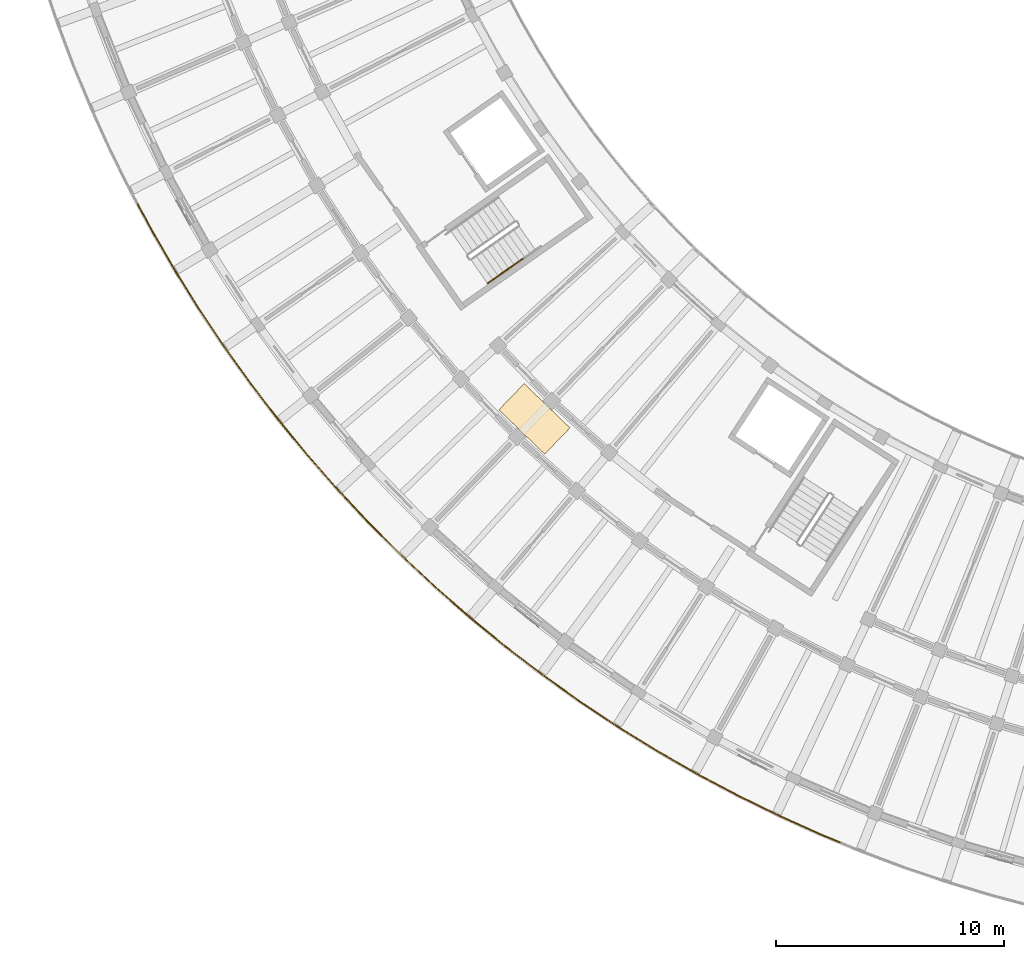
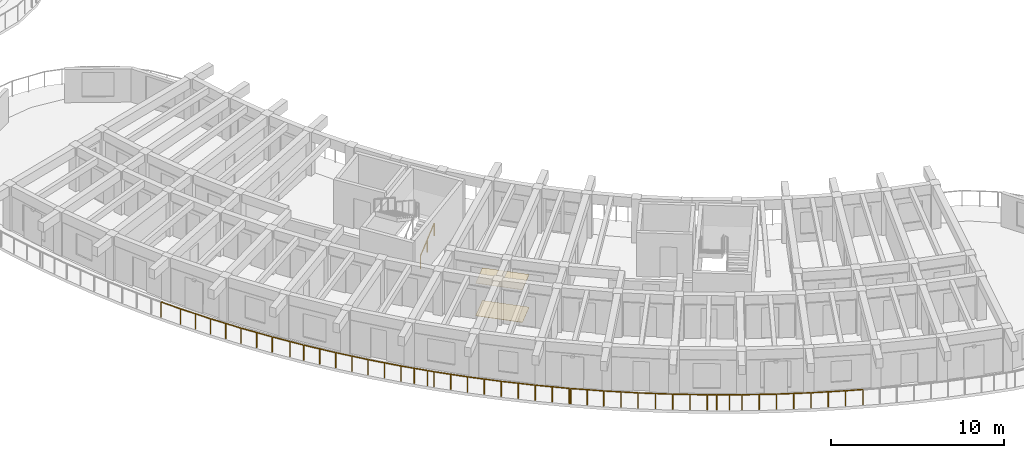
# One storey, part 65 of 81: 7 railings, 2 coverings.
"""IFC4 building model written with IfcOpenShell, lengths in metres."""

from ifc_helpers import new_model, si_unit, direction, frame, origin, origin_2d, place, context, subcontext, project, spatial, rectangle, circle, extrude, material, layer, layer_set, type_object, element, save


model = new_model("IFC4")

# Units and contexts
model_context = context("Model", 3, precision=1e-05, world=origin(), true_north=direction((0.0, 1.0)))
body_context = subcontext(model_context, "Body", "Model", "MODEL_VIEW")
ifc_project = project(units=[si_unit("LENGTHUNIT", "METRE"), si_unit("AREAUNIT", "SQUARE_METRE"), si_unit("VOLUMEUNIT", "CUBIC_METRE"), si_unit("PLANEANGLEUNIT", "RADIAN"), si_unit("MASSUNIT", "GRAM", prefix="KILO")], contexts=[model_context])

# Site, building, storey
site_placement = place(None, origin())
site = spatial("IfcSite", under=ifc_project, at=site_placement, CompositionType="ELEMENT")
building_placement = place(site_placement, origin())
building = spatial("IfcBuilding", under=site, at=building_placement, Name="Tanwirah Colonnade Gardens", CompositionType="ELEMENT")
storey_placement = place(building_placement, frame((0.0, 0.0, 8.840087890625)))
storey = spatial("IfcBuildingStorey", under=building, at=storey_placement, Name="L02", CompositionType="ELEMENT", Elevation=8.840087890625)

# Railings
ifc_material_1 = material(Name="Precast concrete C40/50", Category="concrete")
railing_type_1 = type_object("IfcRailingType", Name="BAL-EXT110", PredefinedType="BALUSTRADE", material=ifc_material_1)
railing_1_placement = place(storey_placement, frame((41.62255859375, 7.81982421875, 0.0)))
element("IfcRailing", 1, at=railing_1_placement, inside=storey, type_object=railing_type_1, Name="Block C L02 Balcony Ribbon Balustrade 11", PredefinedType="BALUSTRADE", context=body_context, shape_type="SweptSolid", body=[
    extrude(circle(Radius=0.02392578125, at=origin_2d()), frame((-0.02880859375, 0.011962890625, 1.076171875), z_axis=(-0.924279622952, 0.381716096851, 0.0), x_axis=(-0.381716096851, -0.924279622952, 0.0)), (0.0, 0.0, 1.0), 0.966552734375),
    extrude(circle(Radius=0.02392578125, at=origin_2d()), frame((-0.979736328125, 0.40576171875, 1.076171875), z_axis=(-0.911305810052, 0.411730155035, 0.0), x_axis=(-0.411730155035, -0.911305810052, 0.0)), (0.0, 0.0, 1.0), 1.944091796875),
    extrude(circle(Radius=0.02392578125, at=origin_2d()), frame((-2.807861328125, 1.23291015625, 1.076171875), z_axis=(-0.897352335885, 0.441314836916, 0.0), x_axis=(-0.441314836916, -0.897352335885, 0.0)), (0.0, 0.0, 1.0), 1.944091796875),
    extrude(circle(Radius=0.02392578125, at=origin_2d()), frame((-4.60791015625, 2.119140625, 1.076171875), z_axis=(-0.882416921514, 0.470468252516, 0.0), x_axis=(-0.470468252516, -0.882416921514, 0.0)), (0.0, 0.0, 1.0), 1.944091796875),
    extrude(circle(Radius=0.02392578125, at=origin_2d()), frame((-6.378173828125, 3.064208984375, 1.076171875), z_axis=(-0.866602615509, 0.498998904601, 0.0), x_axis=(-0.498998904601, -0.866602615509, 0.0)), (0.0, 0.0, 1.0), 1.388671875),
    extrude(circle(Radius=0.02099609375, at=origin_2d()), origin(), (0.0, 0.0, 1.0), 1.049072265625),
    extrude(circle(Radius=0.02099609375, at=origin_2d()), frame((-0.951171875, 0.392822265625, 0.0)), (0.0, 0.0, 1.0), 1.049072265625),
    extrude(circle(Radius=0.02099609375, at=origin_2d()), frame((-1.865478515625, 0.805908203125, 0.0)), (0.0, 0.0, 1.0), 1.049072265625),
    extrude(circle(Radius=0.02099609375, at=origin_2d()), frame((-2.77978515625, 1.218994140625, 0.0)), (0.0, 0.0, 1.0), 1.049072265625),
    extrude(circle(Radius=0.02099609375, at=origin_2d()), frame((-3.68017578125, 1.66162109375, 0.0)), (0.0, 0.0, 1.0), 1.049072265625),
    extrude(circle(Radius=0.02099609375, at=origin_2d()), frame((-4.580322265625, 2.1044921875, 0.0)), (0.0, 0.0, 1.0), 1.049072265625),
    extrude(circle(Radius=0.02099609375, at=origin_2d()), frame((-5.4658203125, 2.57666015625, 0.0)), (0.0, 0.0, 1.0), 1.049072265625),
    extrude(circle(Radius=0.02099609375, at=origin_2d()), frame((-6.35107421875, 3.048583984375, 0.0)), (0.0, 0.0, 1.0), 1.049072265625),
    extrude(circle(Radius=0.02099609375, at=origin_2d()), frame((-6.97998046875, 3.41064453125, 0.0)), (0.0, 0.0, 1.0), 1.049072265625),
    extrude(circle(Radius=0.02099609375, at=origin_2d()), frame((-7.608642578125, 3.772705078125, 0.0)), (0.0, 0.0, 1.0), 1.049072265625),
])
railing_2_placement = place(storey_placement, frame((34.013916015625, 11.592529296875, 0.0)))
element("IfcRailing", 2, at=railing_2_placement, inside=storey, type_object=railing_type_1, Name="Block C L02 Balcony Ribbon Balustrade 12", PredefinedType="BALUSTRADE", context=body_context, shape_type="SweptSolid", body=[
    extrude(circle(Radius=0.02392578125, at=origin_2d()), frame((-0.027099609375, 0.015625, 1.076171875), z_axis=(-0.866587887703, 0.49902448125, 0.0), x_axis=(-0.49902448125, -0.866587887703, 0.0)), (0.0, 0.0, 1.0), 0.49267578125),
    extrude(circle(Radius=0.02392578125, at=origin_2d()), frame((-0.5078125, 0.293701171875, 1.076171875), z_axis=(-0.84977735452, 0.527141771959, 0.0), x_axis=(-0.527141771959, -0.84977735452, 0.0)), (0.0, 0.0, 1.0), 1.9443359375),
    extrude(circle(Radius=0.02392578125, at=origin_2d()), frame((-2.212646484375, 1.352294921875, 1.076171875), z_axis=(-0.832069011603, 0.554672119301, 0.0), x_axis=(-0.554672119301, -0.832069011603, 0.0)), (0.0, 0.0, 1.0), 1.944091796875),
    extrude(circle(Radius=0.02392578125, at=origin_2d()), frame((-3.881591796875, 2.466064453125, 1.076171875), z_axis=(-0.813486769226, 0.581583421612, 0.0), x_axis=(-0.581583421612, -0.813486769226, 0.0)), (0.0, 0.0, 1.0), 1.944091796875),
    extrude(circle(Radius=0.02392578125, at=origin_2d()), frame((-5.513427734375, 3.634033203125, 1.076171875), z_axis=(-0.794008424843, 0.60790675377, 0.0), x_axis=(-0.60790675377, -0.794008424843, 0.0)), (0.0, 0.0, 1.0), 1.862060546875),
    extrude(circle(Radius=0.02099609375, at=origin_2d()), origin(), (0.0, 0.0, 1.0), 1.049072265625),
    extrude(circle(Radius=0.02099609375, at=origin_2d()), frame((-0.481201171875, 0.277099609375, 0.0)), (0.0, 0.0, 1.0), 1.049072265625),
    extrude(circle(Radius=0.02099609375, at=origin_2d()), frame((-1.333984375, 0.80615234375, 0.0)), (0.0, 0.0, 1.0), 1.049072265625),
    extrude(circle(Radius=0.02099609375, at=origin_2d()), frame((-2.1865234375, 1.3349609375, 0.0)), (0.0, 0.0, 1.0), 1.049072265625),
    extrude(circle(Radius=0.02099609375, at=origin_2d()), frame((-3.021484375, 1.8916015625, 0.0)), (0.0, 0.0, 1.0), 1.049072265625),
    extrude(circle(Radius=0.02099609375, at=origin_2d()), frame((-3.856201171875, 2.447998046875, 0.0)), (0.0, 0.0, 1.0), 1.049072265625),
    extrude(circle(Radius=0.02099609375, at=origin_2d()), frame((-4.67236328125, 3.031494140625, 0.0)), (0.0, 0.0, 1.0), 1.049072265625),
    extrude(circle(Radius=0.02099609375, at=origin_2d()), frame((-5.488525390625, 3.614990234375, 0.0)), (0.0, 0.0, 1.0), 1.049072265625),
    extrude(circle(Radius=0.02099609375, at=origin_2d()), frame((-6.25244140625, 4.199951171875, 0.0)), (0.0, 0.0, 1.0), 1.049072265625),
    extrude(circle(Radius=0.02099609375, at=origin_2d()), frame((-7.0166015625, 4.784912109375, 0.0)), (0.0, 0.0, 1.0), 1.049072265625),
])
railing_3_placement = place(storey_placement, frame((26.997314453125, 16.37744140625, 0.0)))
element("IfcRailing", 3, at=railing_3_placement, inside=storey, type_object=railing_type_1, Name="Block C L02 Balcony Ribbon Balustrade 13", PredefinedType="BALUSTRADE", context=body_context, shape_type="SweptSolid", body=[
    extrude(circle(Radius=0.02392578125, at=origin_2d()), frame((-0.02490234375, 0.01904296875, 1.076171875), z_axis=(-0.794611184815, 0.607118658061, 0.0), x_axis=(-0.607118658061, -0.794611184815, 0.0)), (0.0, 0.0, 1.0), 0.01953125),
    extrude(circle(Radius=0.02392578125, at=origin_2d()), frame((-0.08935546875, 0.069580078125, 1.076171875), z_axis=(-0.773707873236, 0.633542521771, 0.0), x_axis=(-0.633542521771, -0.773707873236, 0.0)), (0.0, 0.0, 1.0), 1.944091796875),
    extrude(circle(Radius=0.02392578125, at=origin_2d()), frame((-1.64111328125, 1.341552734375, 1.076171875), z_axis=(-0.752508858808, 0.658582126553, 0.0), x_axis=(-0.658582126553, -0.752508858808, 0.0)), (0.0, 0.0, 1.0), 1.944091796875),
    extrude(circle(Radius=0.02392578125, at=origin_2d()), frame((-3.150634765625, 2.663818359375, 1.076171875), z_axis=(-0.730610060212, 0.682794947196, 0.0), x_axis=(-0.682794947196, -0.730610060212, 0.0)), (0.0, 0.0, 1.0), 1.944091796875),
    extrude(circle(Radius=0.02392578125, at=origin_2d()), frame((-4.615966796875, 4.03466796875, 1.076171875), z_axis=(-0.707897217537, 0.706315460261, 0.0), x_axis=(-0.706315460261, -0.707897217537, 0.0)), (0.0, 0.0, 1.0), 1.944091796875),
    extrude(circle(Radius=0.02392578125, at=origin_2d()), frame((-6.03564453125, 5.45263671875, 1.076171875), z_axis=(-0.684314204169, 0.729187266738, 0.0), x_axis=(-0.729187266738, -0.684314204169, 0.0)), (0.0, 0.0, 1.0), 0.3291015625),
    extrude(circle(Radius=0.02099609375, at=origin_2d()), origin(), (0.0, 0.0, 1.0), 1.049072265625),
    extrude(circle(Radius=0.02099609375, at=origin_2d()), frame((-0.065185546875, 0.0498046875, 0.0)), (0.0, 0.0, 1.0), 1.049072265625),
    extrude(circle(Radius=0.02099609375, at=origin_2d()), frame((-0.84130859375, 0.685546875, 0.0)), (0.0, 0.0, 1.0), 1.049072265625),
    extrude(circle(Radius=0.02099609375, at=origin_2d()), frame((-1.61767578125, 1.321044921875, 0.0)), (0.0, 0.0, 1.0), 1.049072265625),
    extrude(circle(Radius=0.02099609375, at=origin_2d()), frame((-2.37255859375, 1.98193359375, 0.0)), (0.0, 0.0, 1.0), 1.049072265625),
    extrude(circle(Radius=0.02099609375, at=origin_2d()), frame((-3.127685546875, 2.642578125, 0.0)), (0.0, 0.0, 1.0), 1.049072265625),
    extrude(circle(Radius=0.02099609375, at=origin_2d()), frame((-3.86083984375, 3.32763671875, 0.0)), (0.0, 0.0, 1.0), 1.049072265625),
    extrude(circle(Radius=0.02099609375, at=origin_2d()), frame((-4.59375, 4.0126953125, 0.0)), (0.0, 0.0, 1.0), 1.049072265625),
    extrude(circle(Radius=0.02099609375, at=origin_2d()), frame((-5.303955078125, 4.72119140625, 0.0)), (0.0, 0.0, 1.0), 1.049072265625),
    extrude(circle(Radius=0.02099609375, at=origin_2d()), frame((-6.01416015625, 5.429931640625, 0.0)), (0.0, 0.0, 1.0), 1.049072265625),
    extrude(circle(Radius=0.02099609375, at=origin_2d()), frame((-6.2822265625, 5.715576171875, 0.0)), (0.0, 0.0, 1.0), 1.049072265625),
])
railing_4_placement = place(storey_placement, frame((20.715087890625, 22.093017578125, 0.0)))
element("IfcRailing", 4, at=railing_4_placement, inside=storey, type_object=railing_type_1, Name="Block C L02 Balcony Ribbon Balustrade 14", PredefinedType="BALUSTRADE", context=body_context, shape_type="SweptSolid", body=[
    extrude(circle(Radius=0.02392578125, at=origin_2d()), frame((-0.021484375, 0.022705078125, 1.076171875), z_axis=(-0.68437850788, 0.729126914845, 0.0), x_axis=(-0.729126914845, -0.68437850788, 0.0)), (0.0, 0.0, 1.0), 1.552490234375),
    extrude(circle(Radius=0.02392578125, at=origin_2d()), frame((-1.1259765625, 1.200927734375, 1.076171875), z_axis=(-0.660199900943, 0.751089935224, 0.0), x_axis=(-0.751089935224, -0.660199900943, 0.0)), (0.0, 0.0, 1.0), 1.944091796875),
    extrude(circle(Radius=0.02392578125, at=origin_2d()), frame((-2.44970703125, 2.708740234375, 1.076171875), z_axis=(-0.635216698846, 0.77233395983, 0.0), x_axis=(-0.77233395983, -0.635216698846, 0.0)), (0.0, 0.0, 1.0), 1.944091796875),
    extrude(circle(Radius=0.02392578125, at=origin_2d()), frame((-3.7236328125, 4.259033203125, 1.076171875), z_axis=(-0.609669601555, 0.7926556484, 0.0), x_axis=(-0.7926556484, -0.609669601555, 0.0)), (0.0, 0.0, 1.0), 1.944091796875),
    extrude(circle(Radius=0.02392578125, at=origin_2d()), frame((-4.9462890625, 5.850341796875, 1.076171875), z_axis=(-0.583211557047, 0.812320306115, 0.0), x_axis=(-0.812320306115, -0.583211557047, 0.0)), (0.0, 0.0, 1.0), 0.802734375),
    extrude(circle(Radius=0.02099609375, at=origin_2d()), origin(), (0.0, 0.0, 1.0), 1.049072265625),
    extrude(circle(Radius=0.02099609375, at=origin_2d()), frame((-0.552734375, 0.5888671875, 0.0)), (0.0, 0.0, 1.0), 1.049072265625),
    extrude(circle(Radius=0.02099609375, at=origin_2d()), frame((-1.105224609375, 1.177490234375, 0.0)), (0.0, 0.0, 1.0), 1.049072265625),
    extrude(circle(Radius=0.02099609375, at=origin_2d()), frame((-1.767578125, 1.93115234375, 0.0)), (0.0, 0.0, 1.0), 1.049072265625),
    extrude(circle(Radius=0.02099609375, at=origin_2d()), frame((-2.429931640625, 2.6845703125, 0.0)), (0.0, 0.0, 1.0), 1.049072265625),
    extrude(circle(Radius=0.02099609375, at=origin_2d()), frame((-3.0673828125, 3.45947265625, 0.0)), (0.0, 0.0, 1.0), 1.049072265625),
    extrude(circle(Radius=0.02099609375, at=origin_2d()), frame((-3.70458984375, 4.234375, 0.0)), (0.0, 0.0, 1.0), 1.049072265625),
    extrude(circle(Radius=0.02099609375, at=origin_2d()), frame((-4.31640625, 5.02978515625, 0.0)), (0.0, 0.0, 1.0), 1.049072265625),
    extrude(circle(Radius=0.02099609375, at=origin_2d()), frame((-4.927978515625, 5.824951171875, 0.0)), (0.0, 0.0, 1.0), 1.049072265625),
    extrude(circle(Radius=0.02099609375, at=origin_2d()), frame((-5.4326171875, 6.52783203125, 0.0)), (0.0, 0.0, 1.0), 1.049072265625),
])
railing_5_placement = place(storey_placement, frame((15.282470703125, 28.620849609375, 0.0)))
element("IfcRailing", 5, at=railing_5_placement, inside=storey, type_object=railing_type_1, Name="Block C L02 Balcony Ribbon Balustrade 15", PredefinedType="BALUSTRADE", context=body_context, shape_type="SweptSolid", body=[
    extrude(circle(Radius=0.02392578125, at=origin_2d()), frame((-0.018310546875, 0.025390625, 1.076171875), z_axis=(-0.583340691187, 0.812227577718, 0.0), x_axis=(-0.812227577718, -0.583340691187, 0.0)), (0.0, 0.0, 1.0), 1.078857421875),
    extrude(circle(Radius=0.02392578125, at=origin_2d()), frame((-0.68310546875, 0.952880859375, 1.076171875), z_axis=(-0.556495801451, 0.830850421537, 0.0), x_axis=(-0.830850421537, -0.556495801451, 0.0)), (0.0, 0.0, 1.0), 1.944091796875),
    extrude(circle(Radius=0.02392578125, at=origin_2d()), frame((-1.799072265625, 2.620849609375, 1.076171875), z_axis=(-0.529003375217, 0.848619719903, 0.0), x_axis=(-0.848619719903, -0.529003375217, 0.0)), (0.0, 0.0, 1.0), 1.944091796875),
    extrude(circle(Radius=0.02392578125, at=origin_2d()), frame((-2.859619140625, 4.32421875, 1.076171875), z_axis=(-0.500940340279, 0.865481816956, 0.0), x_axis=(-0.865481816956, -0.500940340279, 0.0)), (0.0, 0.0, 1.0), 1.94384765625),
    extrude(circle(Radius=0.02392578125, at=origin_2d()), frame((-3.86376953125, 6.061279296875, 1.076171875), z_axis=(-0.472413668616, 0.881376948703, 0.0), x_axis=(-0.881376948703, -0.472413668616, 0.0)), (0.0, 0.0, 1.0), 1.2763671875),
    extrude(circle(Radius=0.02099609375, at=origin_2d()), origin(), (0.0, 0.0, 1.0), 1.049072265625),
    extrude(circle(Radius=0.02099609375, at=origin_2d()), frame((-0.665771484375, 0.927001953125, 0.0)), (0.0, 0.0, 1.0), 1.049072265625),
    extrude(circle(Radius=0.02099609375, at=origin_2d()), frame((-1.22412109375, 1.7607421875, 0.0)), (0.0, 0.0, 1.0), 1.049072265625),
    extrude(circle(Radius=0.02099609375, at=origin_2d()), frame((-1.782470703125, 2.59423828125, 0.0)), (0.0, 0.0, 1.0), 1.049072265625),
    extrude(circle(Radius=0.02099609375, at=origin_2d()), frame((-2.313232421875, 3.44580078125, 0.0)), (0.0, 0.0, 1.0), 1.049072265625),
    extrude(circle(Radius=0.02099609375, at=origin_2d()), frame((-2.843994140625, 4.297119140625, 0.0)), (0.0, 0.0, 1.0), 1.049072265625),
    extrude(circle(Radius=0.02099609375, at=origin_2d()), frame((-3.3466796875, 5.16552734375, 0.0)), (0.0, 0.0, 1.0), 1.049072265625),
    extrude(circle(Radius=0.02099609375, at=origin_2d()), frame((-3.84912109375, 6.03369140625, 0.0)), (0.0, 0.0, 1.0), 1.049072265625),
    extrude(circle(Radius=0.02099609375, at=origin_2d()), frame((-4.481689453125, 7.2138671875, 0.0)), (0.0, 0.0, 1.0), 1.049072265625),
])

# Coverings
ifc_material_2 = material(Name="Acoustic perforated gypsum ceiling board")
ifc_layer_1 = layer(ifc_material_2, 0.014892578125)
ifc_layer_set_1 = layer_set([ifc_layer_1], Name="Acoustic perforated gypsum ceiling board")
covering_type_1 = type_object("IfcCoveringType", Name="COV-CEIL15", PredefinedType="CEILING", material=ifc_layer_set_1)
covering_1_placement = place(storey_placement, frame((28.2177734375, 26.410888671875, 2.3125), z_axis=(0.0, 0.0, 1.0), x_axis=(0.719339800339, -0.694658370459, 0.0)))
element("IfcCovering", 6, at=covering_1_placement, inside=storey, type_object=covering_type_1, Name="Block C L02 Corridor Acoustic Ceiling", PredefinedType="CEILING", context=body_context, shape_type="SweptSolid", body=[
    extrude(rectangle(XDim=2.800048828125, YDim=1.60009765625, at=origin_2d()), origin(), (0.0, 0.0, 1.0), 0.014892578125),
])
ifc_material_3 = material(Name="Honed Abu Dhabi limestone terrazzo flooring", Category="masonry")
ifc_layer_2 = layer(ifc_material_3, 0.02001953125)
ifc_layer_set_2 = layer_set([ifc_layer_2], Name="Honed Abu Dhabi limestone terrazzo flooring")
covering_type_2 = type_object("IfcCoveringType", Name="COV-FLR20", PredefinedType="FLOORING", material=ifc_layer_set_2)
covering_2_placement = place(storey_placement, frame((28.2177734375, 26.410888671875, 0.0), z_axis=(0.0, 0.0, 1.0), x_axis=(0.719339800339, -0.694658370459, 0.0)))
element("IfcCovering", 7, at=covering_2_placement, inside=storey, type_object=covering_type_2, Name="Block C L02 Corridor Terrazzo Flooring", PredefinedType="FLOORING", context=body_context, shape_type="SweptSolid", body=[
    extrude(rectangle(XDim=2.800048828125, YDim=1.60009765625, at=origin_2d()), origin(), (0.0, 0.0, 1.0), 0.02001953125),
])

# Railings
ifc_material_4 = material(Name="Brushed bronze stainless steel", Category="steel")
railing_type_2 = type_object("IfcRailingType", Name="HR-ST090", PredefinedType="HANDRAIL", material=ifc_material_4)
railing_6_placement = place(storey_placement, frame((26.16064453125, 32.360107421875, 0.16796875)))
element("IfcRailing", 8, at=railing_6_placement, inside=storey, type_object=railing_type_2, Name="L02 ST-C1 stair handrail 1", PredefinedType="HANDRAIL", context=body_context, shape_type="SweptSolid", body=[
    extrude(circle(Radius=0.02392578125, at=origin_2d()), frame((0.02197265625, 0.015380859375, 0.891845703125), z_axis=(0.703686044561, 0.492823109966, 0.511811814023), x_axis=(-0.57365206981, 0.819099079967, 0.0)), (0.0, 0.0, 1.0), 1.043212890625),
    extrude(circle(Radius=0.02099609375, at=origin_2d()), origin(), (0.0, 0.0, 1.0), 0.848876953125),
    extrude(circle(Radius=0.02099609375, at=origin_2d()), frame((0.778076171875, 0.544921875, 0.56591796875)), (0.0, 0.0, 1.0), 0.848876953125),
])
railing_7_placement = place(storey_placement, frame((26.938720703125, 32.905029296875, 0.73388671875)))
element("IfcRailing", 9, at=railing_7_placement, inside=storey, type_object=railing_type_2, Name="L02 ST-C1 stair handrail 2", PredefinedType="HANDRAIL", context=body_context, shape_type="SweptSolid", body=[
    extrude(circle(Radius=0.02392578125, at=origin_2d()), frame((0.02197265625, 0.015380859375, 0.891845703125), z_axis=(0.703797483594, 0.492746544348, 0.511732298297), x_axis=(-0.573531324472, 0.819183630115, 0.0)), (0.0, 0.0, 1.0), 1.04345703125),
    extrude(circle(Radius=0.02099609375, at=origin_2d()), origin(), (0.0, 0.0, 1.0), 0.848876953125),
    extrude(circle(Radius=0.02099609375, at=origin_2d()), frame((0.7783203125, 0.544921875, 0.56591796875)), (0.0, 0.0, 1.0), 0.848876953125),
])

save(model, "model.ifc")
